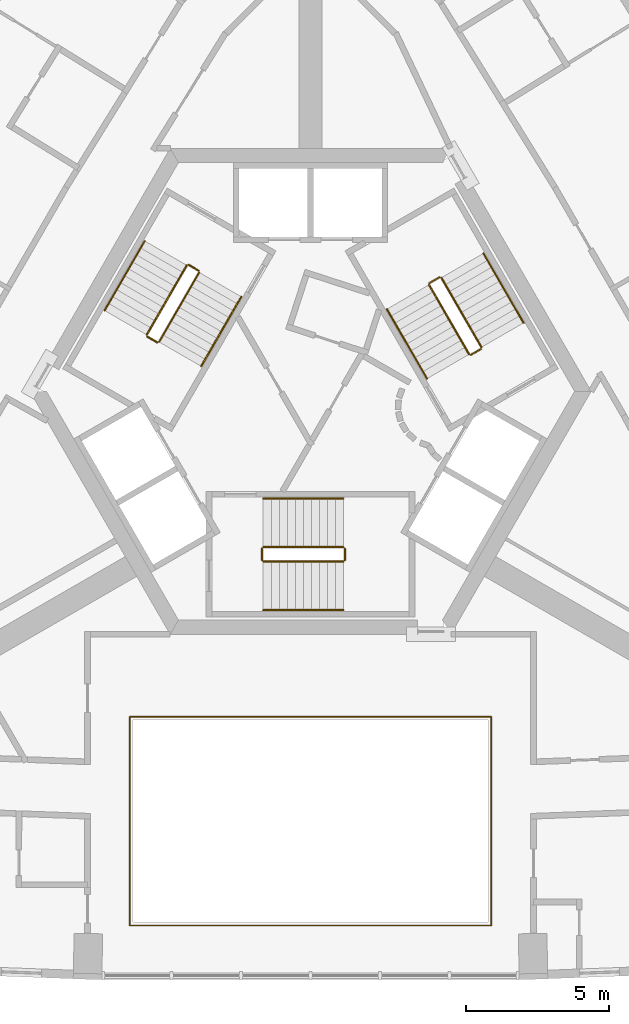
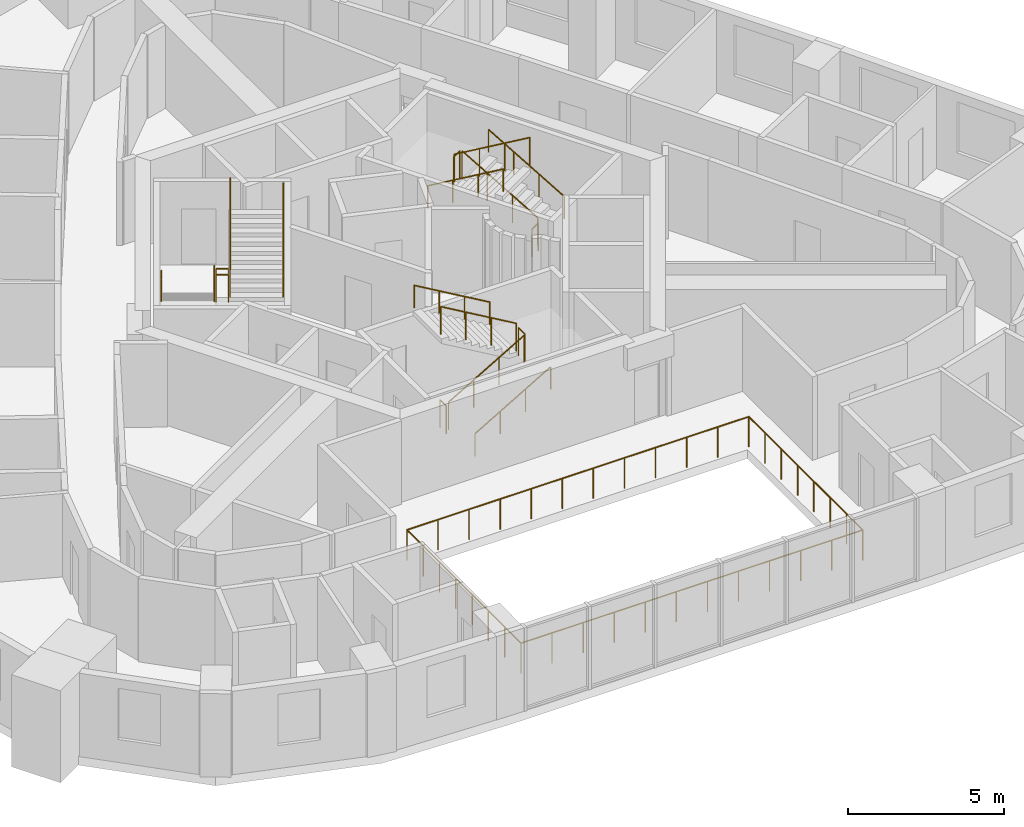
# One storey, part 10 of 10: 19 railings.
"""IFC4 building model written with IfcOpenShell, lengths in metres."""

from ifc_helpers import new_model, si_unit, direction, frame, origin, origin_2d, place, context, subcontext, project, spatial, circle, extrude, material, type_object, element, save


model = new_model("IFC4")

# Units and contexts
model_context = context("Model", 3, precision=1e-05, world=origin(), true_north=direction((0.0, 1.0)))
body_context = subcontext(model_context, "Body", "Model", "MODEL_VIEW")
ifc_project = project(units=[si_unit("LENGTHUNIT", "METRE"), si_unit("AREAUNIT", "SQUARE_METRE"), si_unit("VOLUMEUNIT", "CUBIC_METRE"), si_unit("PLANEANGLEUNIT", "RADIAN"), si_unit("MASSUNIT", "GRAM", prefix="KILO")], contexts=[model_context])

# Site, building, storey
site_placement = place(None, origin())
site = spatial("IfcSite", under=ifc_project, at=site_placement, CompositionType="ELEMENT")
building_placement = place(site_placement, origin())
building = spatial("IfcBuilding", under=site, at=building_placement, Name="Entoto Arch Interchange Tower", CompositionType="ELEMENT")
storey_placement = place(building_placement, frame((0.0, 0.0, 300.800048828125)))
storey = spatial("IfcBuildingStorey", under=building, at=storey_placement, Name="L70", CompositionType="ELEMENT", Elevation=300.800048828125)

# Railings
ifc_material = material(Name="Stainless steel 1.4301", Category="steel")
railing_type_1 = type_object("IfcRailingType", Name="ATRIUM GUARD 1200 STEEL AND GLASS", PredefinedType="GUARDRAIL", material=ifc_material)
railing_1_placement = place(storey_placement, frame((6.320068359375, -16.18408203125, 0.0)))
element("IfcRailing", 1, at=railing_1_placement, inside=storey, type_object=railing_type_1, Name="Atrium guard L70", PredefinedType="GUARDRAIL", context=body_context, shape_type="SweptSolid", body=[
    extrude(circle(Radius=0.02392578125, at=origin_2d()), frame((0.0, 0.0, 1.17578125), z_axis=(-1.0, 0.0, 0.0), x_axis=(0.0, -1.0, 0.0)), (0.0, 0.0, 1.0), 12.64013671875),
    extrude(circle(Radius=0.02392578125, at=origin_2d()), frame((-12.64013671875, 0.0, 1.17578125), z_axis=(0.0, 1.0, 0.0), x_axis=(-1.0, 0.0, 0.0)), (0.0, 0.0, 1.0), 7.30419921875),
    extrude(circle(Radius=0.02392578125, at=origin_2d()), frame((-12.64013671875, 7.30419921875, 1.17578125), z_axis=(1.0, 0.0, 0.0), x_axis=(0.0, 1.0, 0.0)), (0.0, 0.0, 1.0), 12.64013671875),
    extrude(circle(Radius=0.02392578125, at=origin_2d()), frame((0.0, 7.30419921875, 1.17578125), z_axis=(0.0, -1.0, 0.0), x_axis=(1.0, 0.0, 0.0)), (0.0, 0.0, 1.0), 7.30419921875),
    extrude(circle(Radius=0.02099609375, at=origin_2d()), origin(), (0.0, 0.0, 1.0), 1.15185546875),
    extrude(circle(Radius=0.02099609375, at=origin_2d()), frame((-1.149169921875, 0.0, 0.0)), (0.0, 0.0, 1.0), 1.15185546875),
    extrude(circle(Radius=0.02099609375, at=origin_2d()), frame((-2.298095703125, 0.0, 0.0)), (0.0, 0.0, 1.0), 1.15185546875),
    extrude(circle(Radius=0.02099609375, at=origin_2d()), frame((-3.447265625, 0.0, 0.0)), (0.0, 0.0, 1.0), 1.15185546875),
    extrude(circle(Radius=0.02099609375, at=origin_2d()), frame((-4.596435546875, 0.0, 0.0)), (0.0, 0.0, 1.0), 1.15185546875),
    extrude(circle(Radius=0.02099609375, at=origin_2d()), frame((-5.74560546875, 0.0, 0.0)), (0.0, 0.0, 1.0), 1.15185546875),
    extrude(circle(Radius=0.02099609375, at=origin_2d()), frame((-6.89453125, 0.0, 0.0)), (0.0, 0.0, 1.0), 1.15185546875),
    extrude(circle(Radius=0.02099609375, at=origin_2d()), frame((-8.043701171875, 0.0, 0.0)), (0.0, 0.0, 1.0), 1.15185546875),
    extrude(circle(Radius=0.02099609375, at=origin_2d()), frame((-9.19287109375, 0.0, 0.0)), (0.0, 0.0, 1.0), 1.15185546875),
    extrude(circle(Radius=0.02099609375, at=origin_2d()), frame((-10.342041015625, 0.0, 0.0)), (0.0, 0.0, 1.0), 1.15185546875),
    extrude(circle(Radius=0.02099609375, at=origin_2d()), frame((-11.490966796875, 0.0, 0.0)), (0.0, 0.0, 1.0), 1.15185546875),
    extrude(circle(Radius=0.02099609375, at=origin_2d()), frame((-12.64013671875, 0.0, 0.0)), (0.0, 0.0, 1.0), 1.15185546875),
    extrude(circle(Radius=0.02099609375, at=origin_2d()), frame((-12.64013671875, 1.04345703125, 0.0)), (0.0, 0.0, 1.0), 1.15185546875),
    extrude(circle(Radius=0.02099609375, at=origin_2d()), frame((-12.64013671875, 2.0869140625, 0.0)), (0.0, 0.0, 1.0), 1.15185546875),
    extrude(circle(Radius=0.02099609375, at=origin_2d()), frame((-12.64013671875, 3.13037109375, 0.0)), (0.0, 0.0, 1.0), 1.15185546875),
    extrude(circle(Radius=0.02099609375, at=origin_2d()), frame((-12.64013671875, 4.173828125, 0.0)), (0.0, 0.0, 1.0), 1.15185546875),
    extrude(circle(Radius=0.02099609375, at=origin_2d()), frame((-12.64013671875, 5.21728515625, 0.0)), (0.0, 0.0, 1.0), 1.15185546875),
    extrude(circle(Radius=0.02099609375, at=origin_2d()), frame((-12.64013671875, 6.2607421875, 0.0)), (0.0, 0.0, 1.0), 1.15185546875),
    extrude(circle(Radius=0.02099609375, at=origin_2d()), frame((-12.64013671875, 7.30419921875, 0.0)), (0.0, 0.0, 1.0), 1.15185546875),
    extrude(circle(Radius=0.02099609375, at=origin_2d()), frame((-11.490966796875, 7.30419921875, 0.0)), (0.0, 0.0, 1.0), 1.15185546875),
    extrude(circle(Radius=0.02099609375, at=origin_2d()), frame((-10.342041015625, 7.30419921875, 0.0)), (0.0, 0.0, 1.0), 1.15185546875),
    extrude(circle(Radius=0.02099609375, at=origin_2d()), frame((-9.19287109375, 7.30419921875, 0.0)), (0.0, 0.0, 1.0), 1.15185546875),
    extrude(circle(Radius=0.02099609375, at=origin_2d()), frame((-8.043701171875, 7.30419921875, 0.0)), (0.0, 0.0, 1.0), 1.15185546875),
    extrude(circle(Radius=0.02099609375, at=origin_2d()), frame((-6.89453125, 7.30419921875, 0.0)), (0.0, 0.0, 1.0), 1.15185546875),
    extrude(circle(Radius=0.02099609375, at=origin_2d()), frame((-5.74560546875, 7.30419921875, 0.0)), (0.0, 0.0, 1.0), 1.15185546875),
    extrude(circle(Radius=0.02099609375, at=origin_2d()), frame((-4.596435546875, 7.30419921875, 0.0)), (0.0, 0.0, 1.0), 1.15185546875),
    extrude(circle(Radius=0.02099609375, at=origin_2d()), frame((-3.447265625, 7.30419921875, 0.0)), (0.0, 0.0, 1.0), 1.15185546875),
    extrude(circle(Radius=0.02099609375, at=origin_2d()), frame((-2.298095703125, 7.30419921875, 0.0)), (0.0, 0.0, 1.0), 1.15185546875),
    extrude(circle(Radius=0.02099609375, at=origin_2d()), frame((-1.149169921875, 7.30419921875, 0.0)), (0.0, 0.0, 1.0), 1.15185546875),
    extrude(circle(Radius=0.02099609375, at=origin_2d()), frame((0.0, 7.30419921875, 0.0)), (0.0, 0.0, 1.0), 1.15185546875),
    extrude(circle(Radius=0.02099609375, at=origin_2d()), frame((0.0, 6.2607421875, 0.0)), (0.0, 0.0, 1.0), 1.15185546875),
    extrude(circle(Radius=0.02099609375, at=origin_2d()), frame((0.0, 5.21728515625, 0.0)), (0.0, 0.0, 1.0), 1.15185546875),
    extrude(circle(Radius=0.02099609375, at=origin_2d()), frame((0.0, 4.173828125, 0.0)), (0.0, 0.0, 1.0), 1.15185546875),
    extrude(circle(Radius=0.02099609375, at=origin_2d()), frame((0.0, 3.13037109375, 0.0)), (0.0, 0.0, 1.0), 1.15185546875),
    extrude(circle(Radius=0.02099609375, at=origin_2d()), frame((0.0, 2.0869140625, 0.0)), (0.0, 0.0, 1.0), 1.15185546875),
    extrude(circle(Radius=0.02099609375, at=origin_2d()), frame((0.0, 1.04345703125, 0.0)), (0.0, 0.0, 1.0), 1.15185546875),
])
railing_type_2 = type_object("IfcRailingType", Name="STAIR GUARD 1100 STEEL", PredefinedType="GUARDRAIL", material=ifc_material)
railing_2_placement = place(storey_placement, frame((-1.64990234375, -3.449951171875, 0.16357421875)))
element("IfcRailing", 2, at=railing_2_placement, inside=storey, type_object=railing_type_2, Name="L70 ST-S stair guard 1", PredefinedType="GUARDRAIL", context=body_context, shape_type="SweptSolid", body=[
    extrude(circle(Radius=0.02392578125, at=origin_2d()), frame((0.0, 0.0, 1.076171875), z_axis=(0.863341702679, 0.0, 0.504619762213), x_axis=(0.0, 1.0, 0.0)), (0.0, 0.0, 1.0), 3.242919921875),
    extrude(circle(Radius=0.02099609375, at=origin_2d()), origin(), (0.0, 0.0, 1.0), 1.052001953125),
    extrude(circle(Radius=0.02099609375, at=origin_2d()), frame((0.933349609375, 0.0, 0.54541015625)), (0.0, 0.0, 1.0), 1.052001953125),
    extrude(circle(Radius=0.02099609375, at=origin_2d()), frame((1.866455078125, 0.0, 1.091064453125)), (0.0, 0.0, 1.0), 1.052001953125),
    extrude(circle(Radius=0.02099609375, at=origin_2d()), frame((2.7998046875, 0.0, 1.636474609375)), (0.0, 0.0, 1.0), 1.052001953125),
])
railing_3_placement = place(storey_placement, frame((1.199951171875, -3.39990234375, 1.800048828125)))
element("IfcRailing", 3, at=railing_3_placement, inside=storey, type_object=railing_type_2, Name="L70 ST-S stair guard 2", PredefinedType="GUARDRAIL", context=body_context, shape_type="SweptSolid", body=[
    extrude(circle(Radius=0.02392578125, at=origin_2d()), frame((0.0, 0.0, 1.076171875), z_axis=(0.0, 1.0, 0.0), x_axis=(-1.0, 0.0, 0.0)), (0.0, 0.0, 1.0), 0.39990234375),
    extrude(circle(Radius=0.02099609375, at=origin_2d()), origin(), (0.0, 0.0, 1.0), 1.052001953125),
    extrude(circle(Radius=0.02099609375, at=origin_2d()), frame((0.0, 0.39990234375, 0.0)), (0.0, 0.0, 1.0), 1.052001953125),
])
railing_4_placement = place(storey_placement, frame((1.14990234375, -2.949951171875, 1.963623046875)))
element("IfcRailing", 4, at=railing_4_placement, inside=storey, type_object=railing_type_2, Name="L70 ST-S stair guard 3", PredefinedType="GUARDRAIL", context=body_context, shape_type="SweptSolid", body=[
    extrude(circle(Radius=0.02392578125, at=origin_2d()), frame((0.0, 0.0, 1.076171875), z_axis=(-0.863374499697, 0.0, 0.504563646405), x_axis=(0.0, -1.0, 0.0)), (0.0, 0.0, 1.0), 3.242919921875),
    extrude(circle(Radius=0.02099609375, at=origin_2d()), origin(), (0.0, 0.0, 1.0), 1.052001953125),
    extrude(circle(Radius=0.02099609375, at=origin_2d()), frame((-0.933349609375, 0.0, 0.54541015625)), (0.0, 0.0, 1.0), 1.052001953125),
    extrude(circle(Radius=0.02099609375, at=origin_2d()), frame((-1.866455078125, 0.0, 1.0908203125)), (0.0, 0.0, 1.0), 1.052001953125),
    extrude(circle(Radius=0.02099609375, at=origin_2d()), frame((-2.7998046875, 0.0, 1.63623046875)), (0.0, 0.0, 1.0), 1.052001953125),
])
railing_5_placement = place(storey_placement, frame((-1.699951171875, -3.39990234375, 0.0)))
element("IfcRailing", 5, at=railing_5_placement, inside=storey, type_object=railing_type_2, Name="L70 ST-S stair guard 4", PredefinedType="GUARDRAIL", context=body_context, shape_type="SweptSolid", body=[
    extrude(circle(Radius=0.02392578125, at=origin_2d()), frame((0.0, 0.0, 1.076171875), z_axis=(0.0, 1.0, 0.0), x_axis=(-1.0, 0.0, 0.0)), (0.0, 0.0, 1.0), 0.39990234375),
    extrude(circle(Radius=0.02099609375, at=origin_2d()), origin(), (0.0, 0.0, 1.0), 1.052001953125),
    extrude(circle(Radius=0.02099609375, at=origin_2d()), frame((0.0, 0.39990234375, 0.0)), (0.0, 0.0, 1.0), 1.052001953125),
])
railing_6_placement = place(storey_placement, frame((5.977783203125, 4.046142578125, 0.16357421875)))
element("IfcRailing", 6, at=railing_6_placement, inside=storey, type_object=railing_type_2, Name="L70 ST-NE stair guard 1", PredefinedType="GUARDRAIL", context=body_context, shape_type="SweptSolid", body=[
    extrude(circle(Radius=0.02392578125, at=origin_2d()), frame((0.0, 0.0, 1.076171875), z_axis=(-0.431660630283, 0.747689811644, 0.504607813879), x_axis=(-0.866034573852, -0.49998411664, 0.0)), (0.0, 0.0, 1.0), 3.2431640625),
    extrude(circle(Radius=0.02099609375, at=origin_2d()), origin(), (0.0, 0.0, 1.0), 1.052001953125),
    extrude(circle(Radius=0.02099609375, at=origin_2d()), frame((-0.466552734375, 0.808349609375, 0.54541015625)), (0.0, 0.0, 1.0), 1.052001953125),
    extrude(circle(Radius=0.02099609375, at=origin_2d()), frame((-0.933349609375, 1.616455078125, 1.091064453125)), (0.0, 0.0, 1.0), 1.052001953125),
    extrude(circle(Radius=0.02099609375, at=origin_2d()), frame((-1.39990234375, 2.4248046875, 1.636474609375)), (0.0, 0.0, 1.0), 1.052001953125),
])
railing_7_placement = place(storey_placement, frame((4.509521484375, 6.4892578125, 1.800048828125)))
element("IfcRailing", 7, at=railing_7_placement, inside=storey, type_object=railing_type_2, Name="L70 ST-NE stair guard 2", PredefinedType="GUARDRAIL", context=body_context, shape_type="SweptSolid", body=[
    extrude(circle(Radius=0.02392578125, at=origin_2d()), frame((0.0, 0.0, 1.076171875), z_axis=(-0.866094119867, -0.499880961361, 0.0), x_axis=(0.499880961361, -0.866094119867, 0.0)), (0.0, 0.0, 1.0), 0.39990234375),
    extrude(circle(Radius=0.02099609375, at=origin_2d()), origin(), (0.0, 0.0, 1.0), 1.052001953125),
    extrude(circle(Radius=0.02099609375, at=origin_2d()), frame((-0.346435546875, -0.199951171875, 0.0)), (0.0, 0.0, 1.0), 1.052001953125),
])
railing_8_placement = place(storey_placement, frame((4.144775390625, 6.220947265625, 1.963623046875)))
element("IfcRailing", 8, at=railing_8_placement, inside=storey, type_object=railing_type_2, Name="L70 ST-NE stair guard 3", PredefinedType="GUARDRAIL", context=body_context, shape_type="SweptSolid", body=[
    extrude(circle(Radius=0.02392578125, at=origin_2d()), frame((0.0, 0.0, 1.076171875), z_axis=(0.431738279637, -0.747693913401, 0.504535300807), x_axis=(0.865996816683, 0.500049511043, 0.0)), (0.0, 0.0, 1.0), 3.2431640625),
    extrude(circle(Radius=0.02099609375, at=origin_2d()), origin(), (0.0, 0.0, 1.0), 1.052001953125),
    extrude(circle(Radius=0.02099609375, at=origin_2d()), frame((0.466796875, -0.808349609375, 0.54541015625)), (0.0, 0.0, 1.0), 1.052001953125),
    extrude(circle(Radius=0.02099609375, at=origin_2d()), frame((0.933349609375, -1.616455078125, 1.0908203125)), (0.0, 0.0, 1.0), 1.052001953125),
    extrude(circle(Radius=0.02099609375, at=origin_2d()), frame((1.400146484375, -2.4248046875, 1.63623046875)), (0.0, 0.0, 1.0), 1.052001953125),
])
railing_9_placement = place(storey_placement, frame((5.95947265625, 3.977783203125, 0.0)))
element("IfcRailing", 9, at=railing_9_placement, inside=storey, type_object=railing_type_2, Name="L70 ST-NE stair guard 4", PredefinedType="GUARDRAIL", context=body_context, shape_type="SweptSolid", body=[
    extrude(circle(Radius=0.02392578125, at=origin_2d()), frame((0.0, 0.0, 1.076171875), z_axis=(-0.866094119867, -0.499880961361, 0.0), x_axis=(0.499880961361, -0.866094119867, 0.0)), (0.0, 0.0, 1.0), 0.39990234375),
    extrude(circle(Radius=0.02099609375, at=origin_2d()), origin(), (0.0, 0.0, 1.0), 1.052001953125),
    extrude(circle(Radius=0.02099609375, at=origin_2d()), frame((-0.346435546875, -0.199951171875, 0.0)), (0.0, 0.0, 1.0), 1.052001953125),
])
railing_10_placement = place(storey_placement, frame((-4.327880859375, 6.904052734375, 0.16357421875)))
element("IfcRailing", 10, at=railing_10_placement, inside=storey, type_object=railing_type_2, Name="L70 ST-NW stair guard 1", PredefinedType="GUARDRAIL", context=body_context, shape_type="SweptSolid", body=[
    extrude(circle(Radius=0.02392578125, at=origin_2d()), frame((0.0, 0.0, 1.076171875), z_axis=(-0.431636334334, -0.747723004699, 0.504579412111), x_axis=(0.866056369097, -0.49994636267, 0.0)), (0.0, 0.0, 1.0), 3.2431640625),
    extrude(circle(Radius=0.02099609375, at=origin_2d()), origin(), (0.0, 0.0, 1.0), 1.052001953125),
    extrude(circle(Radius=0.02099609375, at=origin_2d()), frame((-0.466552734375, -0.808349609375, 0.54541015625)), (0.0, 0.0, 1.0), 1.052001953125),
    extrude(circle(Radius=0.02099609375, at=origin_2d()), frame((-0.933349609375, -1.61669921875, 1.091064453125)), (0.0, 0.0, 1.0), 1.052001953125),
    extrude(circle(Radius=0.02099609375, at=origin_2d()), frame((-1.39990234375, -2.425048828125, 1.636474609375)), (0.0, 0.0, 1.0), 1.052001953125),
])
railing_11_placement = place(storey_placement, frame((-5.70947265625, 4.410888671875, 1.800048828125)))
element("IfcRailing", 11, at=railing_11_placement, inside=storey, type_object=railing_type_2, Name="L70 ST-NW stair guard 2", PredefinedType="GUARDRAIL", context=body_context, shape_type="SweptSolid", body=[
    extrude(circle(Radius=0.02392578125, at=origin_2d()), frame((0.0, 0.0, 1.076171875), z_axis=(0.865829829939, -0.500338590944, 0.0), x_axis=(0.500338590944, 0.865829829939, 0.0)), (0.0, 0.0, 1.0), 0.400146484375),
    extrude(circle(Radius=0.02099609375, at=origin_2d()), origin(), (0.0, 0.0, 1.0), 1.052001953125),
    extrude(circle(Radius=0.02099609375, at=origin_2d()), frame((0.346435546875, -0.2001953125, 0.0)), (0.0, 0.0, 1.0), 1.052001953125),
])
railing_12_placement = place(storey_placement, frame((-5.294921875, 4.22900390625, 1.963623046875)))
element("IfcRailing", 12, at=railing_12_placement, inside=storey, type_object=railing_type_2, Name="L70 ST-NW stair guard 3", PredefinedType="GUARDRAIL", context=body_context, shape_type="SweptSolid", body=[
    extrude(circle(Radius=0.02392578125, at=origin_2d()), frame((0.0, 0.0, 1.076171875), z_axis=(0.431713979052, 0.747727106176, 0.504506902808), x_axis=(-0.866018616679, 0.500011755427, 0.0)), (0.0, 0.0, 1.0), 3.2431640625),
    extrude(circle(Radius=0.02099609375, at=origin_2d()), origin(), (0.0, 0.0, 1.0), 1.052001953125),
    extrude(circle(Radius=0.02099609375, at=origin_2d()), frame((0.466796875, 0.808349609375, 0.54541015625)), (0.0, 0.0, 1.0), 1.052001953125),
    extrude(circle(Radius=0.02099609375, at=origin_2d()), frame((0.933349609375, 1.61669921875, 1.0908203125)), (0.0, 0.0, 1.0), 1.052001953125),
    extrude(circle(Radius=0.02099609375, at=origin_2d()), frame((1.400146484375, 2.425048828125, 1.63623046875)), (0.0, 0.0, 1.0), 1.052001953125),
])
railing_13_placement = place(storey_placement, frame((-4.259521484375, 6.92236328125, 0.0)))
element("IfcRailing", 13, at=railing_13_placement, inside=storey, type_object=railing_type_2, Name="L70 ST-NW stair guard 4", PredefinedType="GUARDRAIL", context=body_context, shape_type="SweptSolid", body=[
    extrude(circle(Radius=0.02392578125, at=origin_2d()), frame((0.0, 0.0, 1.076171875), z_axis=(0.865829829939, -0.500338590944, 0.0), x_axis=(0.500338590944, 0.865829829939, 0.0)), (0.0, 0.0, 1.0), 0.400146484375),
    extrude(circle(Radius=0.02099609375, at=origin_2d()), origin(), (0.0, 0.0, 1.0), 1.052001953125),
    extrude(circle(Radius=0.02099609375, at=origin_2d()), frame((0.346435546875, -0.2001953125, 0.0)), (0.0, 0.0, 1.0), 1.052001953125),
])
railing_type_3 = type_object("IfcRailingType", Name="STAIR HANDRAIL 900 STEEL", PredefinedType="HANDRAIL", material=ifc_material)
railing_14_placement = place(storey_placement, frame((-1.64990234375, -5.14990234375, 0.16357421875)))
element("IfcRailing", 14, at=railing_14_placement, inside=storey, type_object=railing_type_3, Name="L70 ST-S stair handrail 1", PredefinedType="HANDRAIL", context=body_context, shape_type="SweptSolid", body=[
    extrude(circle(Radius=0.02392578125, at=origin_2d()), frame((0.0, 0.0, 0.8759765625), z_axis=(0.863341702679, 0.0, 0.504619762213), x_axis=(0.0, 1.0, 0.0)), (0.0, 0.0, 1.0), 3.242919921875),
    extrude(circle(Radius=0.02099609375, at=origin_2d()), origin(), (0.0, 0.0, 1.0), 0.851806640625),
    extrude(circle(Radius=0.02099609375, at=origin_2d()), frame((0.933349609375, 0.0, 0.54541015625)), (0.0, 0.0, 1.0), 0.851806640625),
    extrude(circle(Radius=0.02099609375, at=origin_2d()), frame((1.866455078125, 0.0, 1.091064453125)), (0.0, 0.0, 1.0), 0.851806640625),
    extrude(circle(Radius=0.02099609375, at=origin_2d()), frame((2.7998046875, 0.0, 1.636474609375)), (0.0, 0.0, 1.0), 0.851806640625),
])
railing_15_placement = place(storey_placement, frame((1.14990234375, -1.25, 1.963623046875)))
element("IfcRailing", 15, at=railing_15_placement, inside=storey, type_object=railing_type_3, Name="L70 ST-S stair handrail 2", PredefinedType="HANDRAIL", context=body_context, shape_type="SweptSolid", body=[
    extrude(circle(Radius=0.02392578125, at=origin_2d()), frame((0.0, 0.0, 0.8759765625), z_axis=(-0.863374499697, 0.0, 0.504563646405), x_axis=(0.0, -1.0, 0.0)), (0.0, 0.0, 1.0), 3.242919921875),
    extrude(circle(Radius=0.02099609375, at=origin_2d()), origin(), (0.0, 0.0, 1.0), 0.851806640625),
    extrude(circle(Radius=0.02099609375, at=origin_2d()), frame((-0.933349609375, 0.0, 0.54541015625)), (0.0, 0.0, 1.0), 0.851806640625),
    extrude(circle(Radius=0.02099609375, at=origin_2d()), frame((-1.866455078125, 0.0, 1.0908203125)), (0.0, 0.0, 1.0), 0.851806640625),
    extrude(circle(Radius=0.02099609375, at=origin_2d()), frame((-2.7998046875, 0.0, 1.63623046875)), (0.0, 0.0, 1.0), 0.851806640625),
])
railing_16_placement = place(storey_placement, frame((7.4501953125, 4.89599609375, 0.16357421875)))
element("IfcRailing", 16, at=railing_16_placement, inside=storey, type_object=railing_type_3, Name="L70 ST-NE stair handrail 1", PredefinedType="HANDRAIL", context=body_context, shape_type="SweptSolid", body=[
    extrude(circle(Radius=0.02392578125, at=origin_2d()), frame((0.0, 0.0, 0.8759765625), z_axis=(-0.431697583215, 0.747698708645, 0.504563016616), x_axis=(-0.866018616679, -0.500011755427, 0.0)), (0.0, 0.0, 1.0), 3.243408203125),
    extrude(circle(Radius=0.02099609375, at=origin_2d()), origin(), (0.0, 0.0, 1.0), 0.851806640625),
    extrude(circle(Radius=0.02099609375, at=origin_2d()), frame((-0.466796875, 0.808349609375, 0.54541015625)), (0.0, 0.0, 1.0), 0.851806640625),
    extrude(circle(Radius=0.02099609375, at=origin_2d()), frame((-0.933349609375, 1.61669921875, 1.091064453125)), (0.0, 0.0, 1.0), 0.851806640625),
    extrude(circle(Radius=0.02099609375, at=origin_2d()), frame((-1.400146484375, 2.425048828125, 1.636474609375)), (0.0, 0.0, 1.0), 0.851806640625),
])
railing_17_placement = place(storey_placement, frame((2.672607421875, 5.370849609375, 1.963623046875)))
element("IfcRailing", 17, at=railing_17_placement, inside=storey, type_object=railing_type_3, Name="L70 ST-NE stair handrail 2", PredefinedType="HANDRAIL", context=body_context, shape_type="SweptSolid", body=[
    extrude(circle(Radius=0.02392578125, at=origin_2d()), frame((0.0, 0.0, 0.8759765625), z_axis=(0.431677027627, -0.74771821388, 0.504551698492), x_axis=(0.866034573852, 0.49998411664, 0.0)), (0.0, 0.0, 1.0), 3.242919921875),
    extrude(circle(Radius=0.02099609375, at=origin_2d()), origin(), (0.0, 0.0, 1.0), 0.851806640625),
    extrude(circle(Radius=0.02099609375, at=origin_2d()), frame((0.466552734375, -0.808349609375, 0.54541015625)), (0.0, 0.0, 1.0), 0.851806640625),
    extrude(circle(Radius=0.02099609375, at=origin_2d()), frame((0.933349609375, -1.616455078125, 1.0908203125)), (0.0, 0.0, 1.0), 0.851806640625),
    extrude(circle(Radius=0.02099609375, at=origin_2d()), frame((1.39990234375, -2.4248046875, 1.63623046875)), (0.0, 0.0, 1.0), 0.851806640625),
])
railing_18_placement = place(storey_placement, frame((-5.800048828125, 7.75390625, 0.16357421875)))
element("IfcRailing", 18, at=railing_18_placement, inside=storey, type_object=railing_type_3, Name="L70 ST-NW stair handrail 1", PredefinedType="HANDRAIL", context=body_context, shape_type="SweptSolid", body=[
    extrude(circle(Radius=0.02392578125, at=origin_2d()), frame((0.0, 0.0, 0.8759765625), z_axis=(-0.431721881032, -0.747665513933, 0.504591415616), x_axis=(0.865996816683, -0.500049511043, 0.0)), (0.0, 0.0, 1.0), 3.2431640625),
    extrude(circle(Radius=0.02099609375, at=origin_2d()), origin(), (0.0, 0.0, 1.0), 0.851806640625),
    extrude(circle(Radius=0.02099609375, at=origin_2d()), frame((-0.466796875, -0.808349609375, 0.54541015625)), (0.0, 0.0, 1.0), 0.851806640625),
    extrude(circle(Radius=0.02099609375, at=origin_2d()), frame((-0.933349609375, -1.616455078125, 1.091064453125)), (0.0, 0.0, 1.0), 0.851806640625),
    extrude(circle(Radius=0.02099609375, at=origin_2d()), frame((-1.400146484375, -2.4248046875, 1.636474609375)), (0.0, 0.0, 1.0), 0.851806640625),
])
railing_19_placement = place(storey_placement, frame((-3.822509765625, 3.379150390625, 1.963623046875)))
element("IfcRailing", 19, at=railing_19_placement, inside=storey, type_object=railing_type_3, Name="L70 ST-NW stair handrail 2", PredefinedType="HANDRAIL", context=body_context, shape_type="SweptSolid", body=[
    extrude(circle(Radius=0.02392578125, at=origin_2d()), frame((0.0, 0.0, 0.8759765625), z_axis=(0.431677027627, 0.74771821388, 0.504551698492), x_axis=(-0.866034573852, 0.49998411664, 0.0)), (0.0, 0.0, 1.0), 3.242919921875),
    extrude(circle(Radius=0.02099609375, at=origin_2d()), origin(), (0.0, 0.0, 1.0), 0.851806640625),
    extrude(circle(Radius=0.02099609375, at=origin_2d()), frame((0.466552734375, 0.808349609375, 0.54541015625)), (0.0, 0.0, 1.0), 0.851806640625),
    extrude(circle(Radius=0.02099609375, at=origin_2d()), frame((0.933349609375, 1.616455078125, 1.0908203125)), (0.0, 0.0, 1.0), 0.851806640625),
    extrude(circle(Radius=0.02099609375, at=origin_2d()), frame((1.39990234375, 2.4248046875, 1.63623046875)), (0.0, 0.0, 1.0), 0.851806640625),
])

save(model, "model.ifc")
